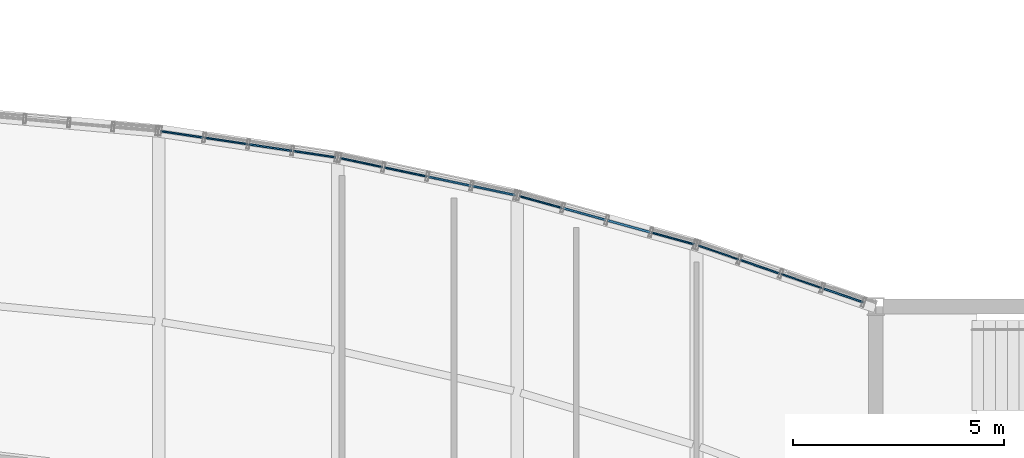
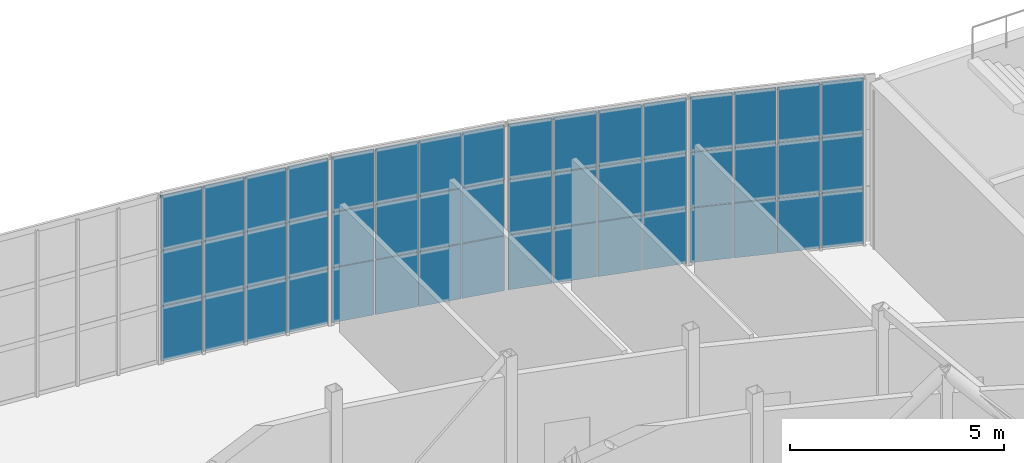
# One storey, part 46 of 66: 48 plates, 4 elements without a shape of their own.
"""IFC4 building model written with IfcOpenShell, lengths in metres."""

from ifc_helpers import new_model, si_unit, direction, frame, origin, origin_2d, place, context, subcontext, project, spatial, rectangle, extrude, material, layer, layer_set, type_object, element, aggregate, save


model = new_model("IFC4")

# Units and contexts
model_context = context("Model", 3, precision=1e-05, world=origin(), true_north=direction((0.0, 1.0)))
body_context = subcontext(model_context, "Body", "Model", "MODEL_VIEW")
ifc_project = project(units=[si_unit("LENGTHUNIT", "METRE"), si_unit("AREAUNIT", "SQUARE_METRE"), si_unit("VOLUMEUNIT", "CUBIC_METRE"), si_unit("PLANEANGLEUNIT", "RADIAN"), si_unit("MASSUNIT", "GRAM", prefix="KILO")], contexts=[model_context])

# Site, building, storey
site_placement = place(None, origin())
site = spatial("IfcSite", under=ifc_project, at=site_placement, CompositionType="ELEMENT")
building_placement = place(site_placement, origin())
building = spatial("IfcBuilding", under=site, at=building_placement, Name="Solvikara Media Centre", CompositionType="ELEMENT")
storey_placement = place(building_placement, frame((0.0, 0.0, 19.800048828125)))
storey = spatial("IfcBuildingStorey", under=building, at=storey_placement, Name="L04", CompositionType="ELEMENT", Elevation=19.800048828125)

# Curtain wall, plates
ifc_material_1 = material(Name="Anodised aluminium EN AW-6063", Category="aluminium")
curtain_wall_type = type_object("IfcCurtainWallType", Name="CW-02", PredefinedType="NOTDEFINED", material=ifc_material_1)
curtain_wall_1_placement = place(storey_placement, origin())
curtain_wall_1 = element("IfcCurtainWall", 1, at=curtain_wall_1_placement, inside=storey, type_object=curtain_wall_type, Name="CW-L04-NARC-08", PredefinedType="NOTDEFINED")
ifc_material_2 = material(Name="Laminated solar-control cyan vision glass", Category="glass")
ifc_layer_1 = layer(ifc_material_2, 0.035888671875)
ifc_layer_set_1 = layer_set([ifc_layer_1], Name="Laminated solar-control cyan vision glass")
plate_type_1 = type_object("IfcPlateType", Name="PN-01", PredefinedType="CURTAIN_PANEL", material=ifc_layer_set_1)
plate_1_placement = place(storey_placement, frame((111.056884765625, 40.881103515625, 3.20849609375), z_axis=(0.0, 0.0, 1.0), x_axis=(0.989005541908, -0.147878457102, 0.0)))
plate_1 = element("IfcPlate", 2, at=plate_1_placement, type_object=plate_type_1, Name="CW-L04-NARC-08-P0002", PredefinedType="CURTAIN_PANEL", context=body_context, shape_type="SweptSolid", body=[
    extrude(rectangle(XDim=1.027099609375, YDim=0.035888671875, at=origin_2d()), origin(), (0.0, 0.0, 1.0), 1.556884765625),
])
plate_2_placement = place(storey_placement, frame((112.10302734375, 40.72509765625, 0.03466796875), z_axis=(0.0, 0.0, 1.0), x_axis=(0.989005541908, -0.147878457102, 0.0)))
plate_2 = element("IfcPlate", 3, at=plate_2_placement, type_object=plate_type_1, Name="CW-L04-NARC-08-P0100", PredefinedType="CURTAIN_PANEL", context=body_context, shape_type="SweptSolid", body=[
    extrude(rectangle(XDim=1.027099609375, YDim=0.035888671875, at=origin_2d()), origin(), (0.0, 0.0, 1.0), 1.556884765625),
])
plate_3_placement = place(storey_placement, frame((114.19189453125, 40.412109375, 0.03466796875), z_axis=(0.0, 0.0, 1.0), x_axis=(0.989005541908, -0.147878457102, 0.0)))
plate_3 = element("IfcPlate", 4, at=plate_3_placement, type_object=plate_type_1, Name="CW-L04-NARC-08-P0300", PredefinedType="CURTAIN_PANEL", context=body_context, shape_type="SweptSolid", body=[
    extrude(rectangle(XDim=1.027099609375, YDim=0.035888671875, at=origin_2d()), origin(), (0.0, 0.0, 1.0), 1.556884765625),
])

curtain_wall_2_placement = place(storey_placement, origin())
curtain_wall_2 = element("IfcCurtainWall", 5, at=curtain_wall_2_placement, inside=storey, type_object=curtain_wall_type, Name="CW-L04-NARC-09", PredefinedType="NOTDEFINED")
plate_4_placement = place(storey_placement, frame((115.305908203125, 40.2119140625, 0.03466796875), z_axis=(0.0, 0.0, 1.0), x_axis=(0.97837923005, -0.206818959981, 0.0)))
plate_4 = element("IfcPlate", 6, at=plate_4_placement, type_object=plate_type_1, Name="CW-L04-NARC-09-P0000", PredefinedType="CURTAIN_PANEL", context=body_context, shape_type="SweptSolid", body=[
    extrude(rectangle(XDim=1.0390625, YDim=0.035888671875, at=origin_2d()), origin(), (0.0, 0.0, 1.0), 1.556884765625),
])
plate_5_placement = place(storey_placement, frame((115.305908203125, 40.2119140625, 3.20849609375), z_axis=(0.0, 0.0, 1.0), x_axis=(0.97837923005, -0.206818959981, 0.0)))
plate_5 = element("IfcPlate", 7, at=plate_5_placement, type_object=plate_type_1, Name="CW-L04-NARC-09-P0002", PredefinedType="CURTAIN_PANEL", context=body_context, shape_type="SweptSolid", body=[
    extrude(rectangle(XDim=1.0390625, YDim=0.035888671875, at=origin_2d()), origin(), (0.0, 0.0, 1.0), 1.556884765625),
])
plate_6_placement = place(storey_placement, frame((116.35205078125, 39.989990234375, 0.03466796875), z_axis=(0.0, 0.0, 1.0), x_axis=(0.97837923005, -0.206818959981, 0.0)))
plate_6 = element("IfcPlate", 8, at=plate_6_placement, type_object=plate_type_1, Name="CW-L04-NARC-09-P0100", PredefinedType="CURTAIN_PANEL", context=body_context, shape_type="SweptSolid", body=[
    extrude(rectangle(XDim=1.0390625, YDim=0.035888671875, at=origin_2d()), origin(), (0.0, 0.0, 1.0), 1.556884765625),
])
plate_7_placement = place(storey_placement, frame((116.35205078125, 39.989990234375, 1.62158203125), z_axis=(0.0, 0.0, 1.0), x_axis=(0.97837923005, -0.206818959981, 0.0)))
plate_7 = element("IfcPlate", 9, at=plate_7_placement, type_object=plate_type_1, Name="CW-L04-NARC-09-P0101", PredefinedType="CURTAIN_PANEL", context=body_context, shape_type="SweptSolid", body=[
    extrude(rectangle(XDim=1.0390625, YDim=0.035888671875, at=origin_2d()), origin(), (0.0, 0.0, 1.0), 1.556884765625),
])
plate_8_placement = place(storey_placement, frame((117.39794921875, 39.76904296875, 1.62158203125), z_axis=(0.0, 0.0, 1.0), x_axis=(0.97837923005, -0.206818959981, 0.0)))
plate_8 = element("IfcPlate", 10, at=plate_8_placement, type_object=plate_type_1, Name="CW-L04-NARC-09-P0201", PredefinedType="CURTAIN_PANEL", context=body_context, shape_type="SweptSolid", body=[
    extrude(rectangle(XDim=1.0390625, YDim=0.035888671875, at=origin_2d()), origin(), (0.0, 0.0, 1.0), 1.556884765625),
])
plate_9_placement = place(storey_placement, frame((118.443115234375, 39.549072265625, 1.62158203125), z_axis=(0.0, 0.0, 1.0), x_axis=(0.97837923005, -0.206818959981, 0.0)))
plate_9 = element("IfcPlate", 11, at=plate_9_placement, type_object=plate_type_1, Name="CW-L04-NARC-09-P0301", PredefinedType="CURTAIN_PANEL", context=body_context, shape_type="SweptSolid", body=[
    extrude(rectangle(XDim=1.0390625, YDim=0.035888671875, at=origin_2d()), origin(), (0.0, 0.0, 1.0), 1.556884765625),
])

curtain_wall_3_placement = place(storey_placement, origin())
curtain_wall_3 = element("IfcCurtainWall", 12, at=curtain_wall_3_placement, inside=storey, type_object=curtain_wall_type, Name="CW-L04-NARC-10", PredefinedType="NOTDEFINED")
plate_10_placement = place(storey_placement, frame((119.556884765625, 39.278076171875, 0.03466796875), z_axis=(0.0, 0.0, 1.0), x_axis=(0.964030487854, -0.265791682504, 0.0)))
plate_10 = element("IfcPlate", 13, at=plate_10_placement, type_object=plate_type_1, Name="CW-L04-NARC-10-P0000", PredefinedType="CURTAIN_PANEL", context=body_context, shape_type="SweptSolid", body=[
    extrude(rectangle(XDim=1.054931640625, YDim=0.035888671875, at=origin_2d()), origin(), (0.0, 0.0, 1.0), 1.556884765625),
])
plate_11_placement = place(storey_placement, frame((119.556884765625, 39.278076171875, 3.20849609375), z_axis=(0.0, 0.0, 1.0), x_axis=(0.964030487854, -0.265791682504, 0.0)))
plate_11 = element("IfcPlate", 14, at=plate_11_placement, type_object=plate_type_1, Name="CW-L04-NARC-10-P0002", PredefinedType="CURTAIN_PANEL", context=body_context, shape_type="SweptSolid", body=[
    extrude(rectangle(XDim=1.054931640625, YDim=0.035888671875, at=origin_2d()), origin(), (0.0, 0.0, 1.0), 1.556884765625),
])
plate_12_placement = place(storey_placement, frame((122.693115234375, 38.4130859375, 1.62158203125), z_axis=(0.0, 0.0, 1.0), x_axis=(0.964030487854, -0.265791682504, 0.0)))
plate_12 = element("IfcPlate", 15, at=plate_12_placement, type_object=plate_type_1, Name="CW-L04-NARC-10-P0301", PredefinedType="CURTAIN_PANEL", context=body_context, shape_type="SweptSolid", body=[
    extrude(rectangle(XDim=1.054931640625, YDim=0.035888671875, at=origin_2d()), origin(), (0.0, 0.0, 1.0), 1.556884765625),
])
plate_13_placement = place(storey_placement, frame((122.693115234375, 38.4130859375, 3.20849609375), z_axis=(0.0, 0.0, 1.0), x_axis=(0.964030487854, -0.265791682504, 0.0)))
plate_13 = element("IfcPlate", 16, at=plate_13_placement, type_object=plate_type_1, Name="CW-L04-NARC-10-P0302", PredefinedType="CURTAIN_PANEL", context=body_context, shape_type="SweptSolid", body=[
    extrude(rectangle(XDim=1.054931640625, YDim=0.035888671875, at=origin_2d()), origin(), (0.0, 0.0, 1.0), 1.556884765625),
])

curtain_wall_4_placement = place(storey_placement, origin())
curtain_wall_4 = element("IfcCurtainWall", 17, at=curtain_wall_4_placement, inside=storey, type_object=curtain_wall_type, Name="CW-L04-NARC-11", PredefinedType="NOTDEFINED")
plate_14_placement = place(storey_placement, frame((123.77490234375, 38.080078125, 0.03466796875), z_axis=(0.0, 0.0, 1.0), x_axis=(0.945705932557, -0.325023520882, 0.0)))
plate_14 = element("IfcPlate", 18, at=plate_14_placement, type_object=plate_type_1, Name="CW-L04-NARC-11-P0000", PredefinedType="CURTAIN_PANEL", context=body_context, shape_type="SweptSolid", body=[
    extrude(rectangle(XDim=1.009033203125, YDim=0.035888671875, at=origin_2d()), origin(), (0.0, 0.0, 1.0), 1.556884765625),
])
plate_15_placement = place(storey_placement, frame((123.77490234375, 38.080078125, 1.62158203125), z_axis=(0.0, 0.0, 1.0), x_axis=(0.945705932557, -0.325023520882, 0.0)))
plate_15 = element("IfcPlate", 19, at=plate_15_placement, type_object=plate_type_1, Name="CW-L04-NARC-11-P0001", PredefinedType="CURTAIN_PANEL", context=body_context, shape_type="SweptSolid", body=[
    extrude(rectangle(XDim=1.009033203125, YDim=0.035888671875, at=origin_2d()), origin(), (0.0, 0.0, 1.0), 1.556884765625),
])
plate_16_placement = place(storey_placement, frame((123.77490234375, 38.080078125, 3.20849609375), z_axis=(0.0, 0.0, 1.0), x_axis=(0.945705932557, -0.325023520882, 0.0)))
plate_16 = element("IfcPlate", 20, at=plate_16_placement, type_object=plate_type_1, Name="CW-L04-NARC-11-P0002", PredefinedType="CURTAIN_PANEL", context=body_context, shape_type="SweptSolid", body=[
    extrude(rectangle(XDim=1.009033203125, YDim=0.035888671875, at=origin_2d()), origin(), (0.0, 0.0, 1.0), 1.556884765625),
])
plate_17_placement = place(storey_placement, frame((124.757080078125, 37.741943359375, 3.20849609375), z_axis=(0.0, 0.0, 1.0), x_axis=(0.945705932557, -0.325023520882, 0.0)))
plate_17 = element("IfcPlate", 21, at=plate_17_placement, type_object=plate_type_1, Name="CW-L04-NARC-11-P0102", PredefinedType="CURTAIN_PANEL", context=body_context, shape_type="SweptSolid", body=[
    extrude(rectangle(XDim=1.009033203125, YDim=0.035888671875, at=origin_2d()), origin(), (0.0, 0.0, 1.0), 1.556884765625),
])
plate_18_placement = place(storey_placement, frame((125.739990234375, 37.405029296875, 0.03466796875), z_axis=(0.0, 0.0, 1.0), x_axis=(0.945705932557, -0.325023520882, 0.0)))
plate_18 = element("IfcPlate", 22, at=plate_18_placement, type_object=plate_type_1, Name="CW-L04-NARC-11-P0200", PredefinedType="CURTAIN_PANEL", context=body_context, shape_type="SweptSolid", body=[
    extrude(rectangle(XDim=1.009033203125, YDim=0.035888671875, at=origin_2d()), origin(), (0.0, 0.0, 1.0), 1.556884765625),
])
plate_19_placement = place(storey_placement, frame((125.739990234375, 37.405029296875, 1.62158203125), z_axis=(0.0, 0.0, 1.0), x_axis=(0.945705932557, -0.325023520882, 0.0)))
plate_19 = element("IfcPlate", 23, at=plate_19_placement, type_object=plate_type_1, Name="CW-L04-NARC-11-P0201", PredefinedType="CURTAIN_PANEL", context=body_context, shape_type="SweptSolid", body=[
    extrude(rectangle(XDim=1.009033203125, YDim=0.035888671875, at=origin_2d()), origin(), (0.0, 0.0, 1.0), 1.556884765625),
])
plate_20_placement = place(storey_placement, frame((125.739990234375, 37.405029296875, 3.20849609375), z_axis=(0.0, 0.0, 1.0), x_axis=(0.945705932557, -0.325023520882, 0.0)))
plate_20 = element("IfcPlate", 24, at=plate_20_placement, type_object=plate_type_1, Name="CW-L04-NARC-11-P0202", PredefinedType="CURTAIN_PANEL", context=body_context, shape_type="SweptSolid", body=[
    extrude(rectangle(XDim=1.009033203125, YDim=0.035888671875, at=origin_2d()), origin(), (0.0, 0.0, 1.0), 1.556884765625),
])

# Plate
ifc_material_3 = material(Name="Ceramic-fritted teal low-E glass", Category="glass")
ifc_layer_2 = layer(ifc_material_3, 0.0419921875)
ifc_layer_set_2 = layer_set([ifc_layer_2], Name="Ceramic-fritted teal low-E glass")
plate_type_2 = type_object("IfcPlateType", Name="PN-02", PredefinedType="CURTAIN_PANEL", material=ifc_layer_set_2)
plate_21_placement = place(storey_placement, frame((111.056884765625, 40.881103515625, 0.03466796875), z_axis=(0.0, 0.0, 1.0), x_axis=(0.989005541908, -0.147878457102, 0.0)))
plate_21 = element("IfcPlate", 25, at=plate_21_placement, type_object=plate_type_2, Name="CW-L04-NARC-08-P0000", PredefinedType="CURTAIN_PANEL", context=body_context, shape_type="SweptSolid", body=[
    extrude(rectangle(XDim=1.027099609375, YDim=0.0419921875, at=origin_2d()), origin(), (0.0, 0.0, 1.0), 1.556884765625),
])

plate_22_placement = place(storey_placement, frame((111.056884765625, 40.881103515625, 1.62158203125), z_axis=(0.0, 0.0, 1.0), x_axis=(0.989005541908, -0.147878457102, 0.0)))
plate_22 = element("IfcPlate", 26, at=plate_22_placement, type_object=plate_type_2, Name="CW-L04-NARC-08-P0001", PredefinedType="CURTAIN_PANEL", context=body_context, shape_type="SweptSolid", body=[
    extrude(rectangle(XDim=1.027099609375, YDim=0.0419921875, at=origin_2d()), origin(), (0.0, 0.0, 1.0), 1.556884765625),
])

plate_23_placement = place(storey_placement, frame((112.10302734375, 40.72509765625, 1.62158203125), z_axis=(0.0, 0.0, 1.0), x_axis=(0.989005541908, -0.147878457102, 0.0)))
plate_23 = element("IfcPlate", 27, at=plate_23_placement, type_object=plate_type_2, Name="CW-L04-NARC-08-P0101", PredefinedType="CURTAIN_PANEL", context=body_context, shape_type="SweptSolid", body=[
    extrude(rectangle(XDim=1.027099609375, YDim=0.0419921875, at=origin_2d()), origin(), (0.0, 0.0, 1.0), 1.556884765625),
])

plate_24_placement = place(storey_placement, frame((112.10302734375, 40.72509765625, 3.20849609375), z_axis=(0.0, 0.0, 1.0), x_axis=(0.989005541908, -0.147878457102, 0.0)))
plate_24 = element("IfcPlate", 28, at=plate_24_placement, type_object=plate_type_2, Name="CW-L04-NARC-08-P0102", PredefinedType="CURTAIN_PANEL", context=body_context, shape_type="SweptSolid", body=[
    extrude(rectangle(XDim=1.027099609375, YDim=0.0419921875, at=origin_2d()), origin(), (0.0, 0.0, 1.0), 1.556884765625),
])

plate_25_placement = place(storey_placement, frame((113.14794921875, 40.568115234375, 0.03466796875), z_axis=(0.0, 0.0, 1.0), x_axis=(0.989005541908, -0.147878457102, 0.0)))
plate_25 = element("IfcPlate", 29, at=plate_25_placement, type_object=plate_type_2, Name="CW-L04-NARC-08-P0200", PredefinedType="CURTAIN_PANEL", context=body_context, shape_type="SweptSolid", body=[
    extrude(rectangle(XDim=1.027099609375, YDim=0.0419921875, at=origin_2d()), origin(), (0.0, 0.0, 1.0), 1.556884765625),
])

plate_26_placement = place(storey_placement, frame((113.14794921875, 40.568115234375, 1.62158203125), z_axis=(0.0, 0.0, 1.0), x_axis=(0.989005541908, -0.147878457102, 0.0)))
plate_26 = element("IfcPlate", 30, at=plate_26_placement, type_object=plate_type_2, Name="CW-L04-NARC-08-P0201", PredefinedType="CURTAIN_PANEL", context=body_context, shape_type="SweptSolid", body=[
    extrude(rectangle(XDim=1.027099609375, YDim=0.0419921875, at=origin_2d()), origin(), (0.0, 0.0, 1.0), 1.556884765625),
])

plate_27_placement = place(storey_placement, frame((113.14794921875, 40.568115234375, 3.20849609375), z_axis=(0.0, 0.0, 1.0), x_axis=(0.989005541908, -0.147878457102, 0.0)))
plate_27 = element("IfcPlate", 31, at=plate_27_placement, type_object=plate_type_2, Name="CW-L04-NARC-08-P0202", PredefinedType="CURTAIN_PANEL", context=body_context, shape_type="SweptSolid", body=[
    extrude(rectangle(XDim=1.027099609375, YDim=0.0419921875, at=origin_2d()), origin(), (0.0, 0.0, 1.0), 1.556884765625),
])

plate_28_placement = place(storey_placement, frame((114.19189453125, 40.412109375, 1.62158203125), z_axis=(0.0, 0.0, 1.0), x_axis=(0.989005541908, -0.147878457102, 0.0)))
plate_28 = element("IfcPlate", 32, at=plate_28_placement, type_object=plate_type_2, Name="CW-L04-NARC-08-P0301", PredefinedType="CURTAIN_PANEL", context=body_context, shape_type="SweptSolid", body=[
    extrude(rectangle(XDim=1.027099609375, YDim=0.0419921875, at=origin_2d()), origin(), (0.0, 0.0, 1.0), 1.556884765625),
])

plate_29_placement = place(storey_placement, frame((114.19189453125, 40.412109375, 3.20849609375), z_axis=(0.0, 0.0, 1.0), x_axis=(0.989005541908, -0.147878457102, 0.0)))
plate_29 = element("IfcPlate", 33, at=plate_29_placement, type_object=plate_type_2, Name="CW-L04-NARC-08-P0302", PredefinedType="CURTAIN_PANEL", context=body_context, shape_type="SweptSolid", body=[
    extrude(rectangle(XDim=1.027099609375, YDim=0.0419921875, at=origin_2d()), origin(), (0.0, 0.0, 1.0), 1.556884765625),
])

aggregate(curtain_wall_1, [plate_21, plate_22, plate_1, plate_2, plate_23, plate_24, plate_25, plate_26, plate_27, plate_3, plate_28, plate_29])

plate_30_placement = place(storey_placement, frame((115.305908203125, 40.2119140625, 1.62158203125), z_axis=(0.0, 0.0, 1.0), x_axis=(0.97837923005, -0.206818959981, 0.0)))
plate_30 = element("IfcPlate", 34, at=plate_30_placement, type_object=plate_type_2, Name="CW-L04-NARC-09-P0001", PredefinedType="CURTAIN_PANEL", context=body_context, shape_type="SweptSolid", body=[
    extrude(rectangle(XDim=1.0390625, YDim=0.0419921875, at=origin_2d()), origin(), (0.0, 0.0, 1.0), 1.556884765625),
])

plate_31_placement = place(storey_placement, frame((116.35205078125, 39.989990234375, 3.20849609375), z_axis=(0.0, 0.0, 1.0), x_axis=(0.97837923005, -0.206818959981, 0.0)))
plate_31 = element("IfcPlate", 35, at=plate_31_placement, type_object=plate_type_2, Name="CW-L04-NARC-09-P0102", PredefinedType="CURTAIN_PANEL", context=body_context, shape_type="SweptSolid", body=[
    extrude(rectangle(XDim=1.0390625, YDim=0.0419921875, at=origin_2d()), origin(), (0.0, 0.0, 1.0), 1.556884765625),
])

plate_32_placement = place(storey_placement, frame((117.39794921875, 39.76904296875, 0.03466796875), z_axis=(0.0, 0.0, 1.0), x_axis=(0.97837923005, -0.206818959981, 0.0)))
plate_32 = element("IfcPlate", 36, at=plate_32_placement, type_object=plate_type_2, Name="CW-L04-NARC-09-P0200", PredefinedType="CURTAIN_PANEL", context=body_context, shape_type="SweptSolid", body=[
    extrude(rectangle(XDim=1.0390625, YDim=0.0419921875, at=origin_2d()), origin(), (0.0, 0.0, 1.0), 1.556884765625),
])

plate_33_placement = place(storey_placement, frame((118.443115234375, 39.549072265625, 0.03466796875), z_axis=(0.0, 0.0, 1.0), x_axis=(0.97837923005, -0.206818959981, 0.0)))
plate_33 = element("IfcPlate", 37, at=plate_33_placement, type_object=plate_type_2, Name="CW-L04-NARC-09-P0300", PredefinedType="CURTAIN_PANEL", context=body_context, shape_type="SweptSolid", body=[
    extrude(rectangle(XDim=1.0390625, YDim=0.0419921875, at=origin_2d()), origin(), (0.0, 0.0, 1.0), 1.556884765625),
])

plate_34_placement = place(storey_placement, frame((119.556884765625, 39.278076171875, 1.62158203125), z_axis=(0.0, 0.0, 1.0), x_axis=(0.964030487854, -0.265791682504, 0.0)))
plate_34 = element("IfcPlate", 38, at=plate_34_placement, type_object=plate_type_2, Name="CW-L04-NARC-10-P0001", PredefinedType="CURTAIN_PANEL", context=body_context, shape_type="SweptSolid", body=[
    extrude(rectangle(XDim=1.054931640625, YDim=0.0419921875, at=origin_2d()), origin(), (0.0, 0.0, 1.0), 1.556884765625),
])

plate_35_placement = place(storey_placement, frame((120.60205078125, 38.989990234375, 0.03466796875), z_axis=(0.0, 0.0, 1.0), x_axis=(0.964030487854, -0.265791682504, 0.0)))
plate_35 = element("IfcPlate", 39, at=plate_35_placement, type_object=plate_type_2, Name="CW-L04-NARC-10-P0100", PredefinedType="CURTAIN_PANEL", context=body_context, shape_type="SweptSolid", body=[
    extrude(rectangle(XDim=1.054931640625, YDim=0.0419921875, at=origin_2d()), origin(), (0.0, 0.0, 1.0), 1.556884765625),
])

plate_36_placement = place(storey_placement, frame((121.64697265625, 38.700927734375, 3.20849609375), z_axis=(0.0, 0.0, 1.0), x_axis=(0.964030487854, -0.265791682504, 0.0)))
plate_36 = element("IfcPlate", 40, at=plate_36_placement, type_object=plate_type_2, Name="CW-L04-NARC-10-P0202", PredefinedType="CURTAIN_PANEL", context=body_context, shape_type="SweptSolid", body=[
    extrude(rectangle(XDim=1.054931640625, YDim=0.0419921875, at=origin_2d()), origin(), (0.0, 0.0, 1.0), 1.556884765625),
])

plate_37_placement = place(storey_placement, frame((122.693115234375, 38.4130859375, 0.03466796875), z_axis=(0.0, 0.0, 1.0), x_axis=(0.964030487854, -0.265791682504, 0.0)))
plate_37 = element("IfcPlate", 41, at=plate_37_placement, type_object=plate_type_2, Name="CW-L04-NARC-10-P0300", PredefinedType="CURTAIN_PANEL", context=body_context, shape_type="SweptSolid", body=[
    extrude(rectangle(XDim=1.054931640625, YDim=0.0419921875, at=origin_2d()), origin(), (0.0, 0.0, 1.0), 1.556884765625),
])

plate_38_placement = place(storey_placement, frame((124.757080078125, 37.741943359375, 0.03466796875), z_axis=(0.0, 0.0, 1.0), x_axis=(0.945705932557, -0.325023520882, 0.0)))
plate_38 = element("IfcPlate", 42, at=plate_38_placement, type_object=plate_type_2, Name="CW-L04-NARC-11-P0100", PredefinedType="CURTAIN_PANEL", context=body_context, shape_type="SweptSolid", body=[
    extrude(rectangle(XDim=1.009033203125, YDim=0.0419921875, at=origin_2d()), origin(), (0.0, 0.0, 1.0), 1.556884765625),
])

plate_39_placement = place(storey_placement, frame((124.757080078125, 37.741943359375, 1.62158203125), z_axis=(0.0, 0.0, 1.0), x_axis=(0.945705932557, -0.325023520882, 0.0)))
plate_39 = element("IfcPlate", 43, at=plate_39_placement, type_object=plate_type_2, Name="CW-L04-NARC-11-P0101", PredefinedType="CURTAIN_PANEL", context=body_context, shape_type="SweptSolid", body=[
    extrude(rectangle(XDim=1.009033203125, YDim=0.0419921875, at=origin_2d()), origin(), (0.0, 0.0, 1.0), 1.556884765625),
])

plate_40_placement = place(storey_placement, frame((126.722900390625, 37.06689453125, 0.03466796875), z_axis=(0.0, 0.0, 1.0), x_axis=(0.945705932557, -0.325023520882, 0.0)))
plate_40 = element("IfcPlate", 44, at=plate_40_placement, type_object=plate_type_2, Name="CW-L04-NARC-11-P0300", PredefinedType="CURTAIN_PANEL", context=body_context, shape_type="SweptSolid", body=[
    extrude(rectangle(XDim=1.009033203125, YDim=0.0419921875, at=origin_2d()), origin(), (0.0, 0.0, 1.0), 1.556884765625),
])

plate_41_placement = place(storey_placement, frame((126.722900390625, 37.06689453125, 1.62158203125), z_axis=(0.0, 0.0, 1.0), x_axis=(0.945705932557, -0.325023520882, 0.0)))
plate_41 = element("IfcPlate", 45, at=plate_41_placement, type_object=plate_type_2, Name="CW-L04-NARC-11-P0301", PredefinedType="CURTAIN_PANEL", context=body_context, shape_type="SweptSolid", body=[
    extrude(rectangle(XDim=1.009033203125, YDim=0.0419921875, at=origin_2d()), origin(), (0.0, 0.0, 1.0), 1.556884765625),
])

ifc_material_4 = material(Name="Insulated silver-pearl glass spandrel panel", Category="glass")
ifc_layer_3 = layer(ifc_material_4, 0.054931640625)
ifc_layer_set_3 = layer_set([ifc_layer_3], Name="Insulated silver-pearl glass spandrel panel")
plate_type_3 = type_object("IfcPlateType", Name="PN-03", PredefinedType="CURTAIN_PANEL", material=ifc_layer_set_3)
plate_42_placement = place(storey_placement, frame((117.39794921875, 39.76904296875, 3.20849609375), z_axis=(0.0, 0.0, 1.0), x_axis=(0.97837923005, -0.206818959981, 0.0)))
plate_42 = element("IfcPlate", 46, at=plate_42_placement, type_object=plate_type_3, Name="CW-L04-NARC-09-P0202", PredefinedType="CURTAIN_PANEL", context=body_context, shape_type="SweptSolid", body=[
    extrude(rectangle(XDim=1.0390625, YDim=0.054931640625, at=origin_2d()), origin(), (0.0, 0.0, 1.0), 1.556884765625),
])

plate_43_placement = place(storey_placement, frame((118.443115234375, 39.549072265625, 3.20849609375), z_axis=(0.0, 0.0, 1.0), x_axis=(0.97837923005, -0.206818959981, 0.0)))
plate_43 = element("IfcPlate", 47, at=plate_43_placement, type_object=plate_type_3, Name="CW-L04-NARC-09-P0302", PredefinedType="CURTAIN_PANEL", context=body_context, shape_type="SweptSolid", body=[
    extrude(rectangle(XDim=1.0390625, YDim=0.054931640625, at=origin_2d()), origin(), (0.0, 0.0, 1.0), 1.556884765625),
])

aggregate(curtain_wall_2, [plate_4, plate_30, plate_5, plate_6, plate_7, plate_31, plate_32, plate_8, plate_42, plate_33, plate_9, plate_43])

plate_44_placement = place(storey_placement, frame((120.60205078125, 38.989990234375, 1.62158203125), z_axis=(0.0, 0.0, 1.0), x_axis=(0.964030487854, -0.265791682504, 0.0)))
plate_44 = element("IfcPlate", 48, at=plate_44_placement, type_object=plate_type_3, Name="CW-L04-NARC-10-P0101", PredefinedType="CURTAIN_PANEL", context=body_context, shape_type="SweptSolid", body=[
    extrude(rectangle(XDim=1.054931640625, YDim=0.054931640625, at=origin_2d()), origin(), (0.0, 0.0, 1.0), 1.556884765625),
])

plate_45_placement = place(storey_placement, frame((120.60205078125, 38.989990234375, 3.20849609375), z_axis=(0.0, 0.0, 1.0), x_axis=(0.964030487854, -0.265791682504, 0.0)))
plate_45 = element("IfcPlate", 49, at=plate_45_placement, type_object=plate_type_3, Name="CW-L04-NARC-10-P0102", PredefinedType="CURTAIN_PANEL", context=body_context, shape_type="SweptSolid", body=[
    extrude(rectangle(XDim=1.054931640625, YDim=0.054931640625, at=origin_2d()), origin(), (0.0, 0.0, 1.0), 1.556884765625),
])

plate_46_placement = place(storey_placement, frame((121.64697265625, 38.700927734375, 0.03466796875), z_axis=(0.0, 0.0, 1.0), x_axis=(0.964030487854, -0.265791682504, 0.0)))
plate_46 = element("IfcPlate", 50, at=plate_46_placement, type_object=plate_type_3, Name="CW-L04-NARC-10-P0200", PredefinedType="CURTAIN_PANEL", context=body_context, shape_type="SweptSolid", body=[
    extrude(rectangle(XDim=1.054931640625, YDim=0.054931640625, at=origin_2d()), origin(), (0.0, 0.0, 1.0), 1.556884765625),
])

plate_47_placement = place(storey_placement, frame((121.64697265625, 38.700927734375, 1.62158203125), z_axis=(0.0, 0.0, 1.0), x_axis=(0.964030487854, -0.265791682504, 0.0)))
plate_47 = element("IfcPlate", 51, at=plate_47_placement, type_object=plate_type_3, Name="CW-L04-NARC-10-P0201", PredefinedType="CURTAIN_PANEL", context=body_context, shape_type="SweptSolid", body=[
    extrude(rectangle(XDim=1.054931640625, YDim=0.054931640625, at=origin_2d()), origin(), (0.0, 0.0, 1.0), 1.556884765625),
])

aggregate(curtain_wall_3, [plate_10, plate_34, plate_11, plate_35, plate_44, plate_45, plate_46, plate_47, plate_36, plate_37, plate_12, plate_13])

plate_48_placement = place(storey_placement, frame((126.722900390625, 37.06689453125, 3.20849609375), z_axis=(0.0, 0.0, 1.0), x_axis=(0.945705932557, -0.325023520882, 0.0)))
plate_48 = element("IfcPlate", 52, at=plate_48_placement, type_object=plate_type_3, Name="CW-L04-NARC-11-P0302", PredefinedType="CURTAIN_PANEL", context=body_context, shape_type="SweptSolid", body=[
    extrude(rectangle(XDim=1.009033203125, YDim=0.054931640625, at=origin_2d()), origin(), (0.0, 0.0, 1.0), 1.556884765625),
])

aggregate(curtain_wall_4, [plate_14, plate_15, plate_16, plate_38, plate_39, plate_17, plate_18, plate_19, plate_20, plate_40, plate_41, plate_48])

save(model, "model.ifc")
